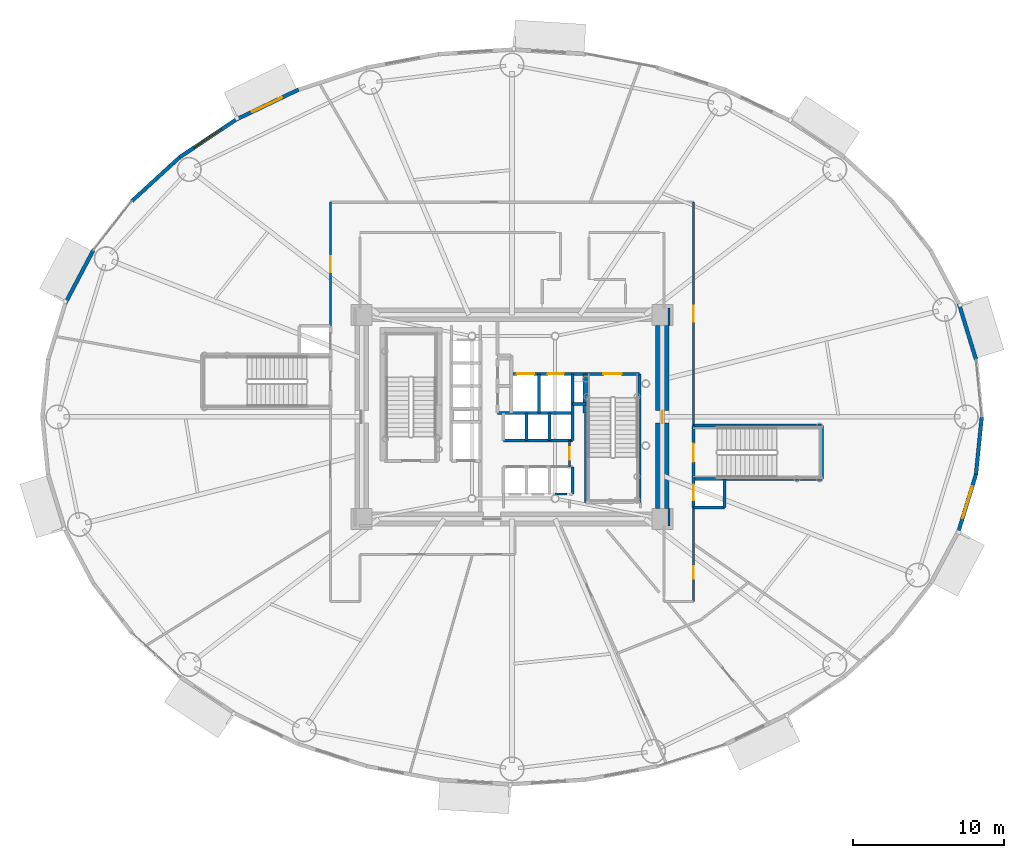
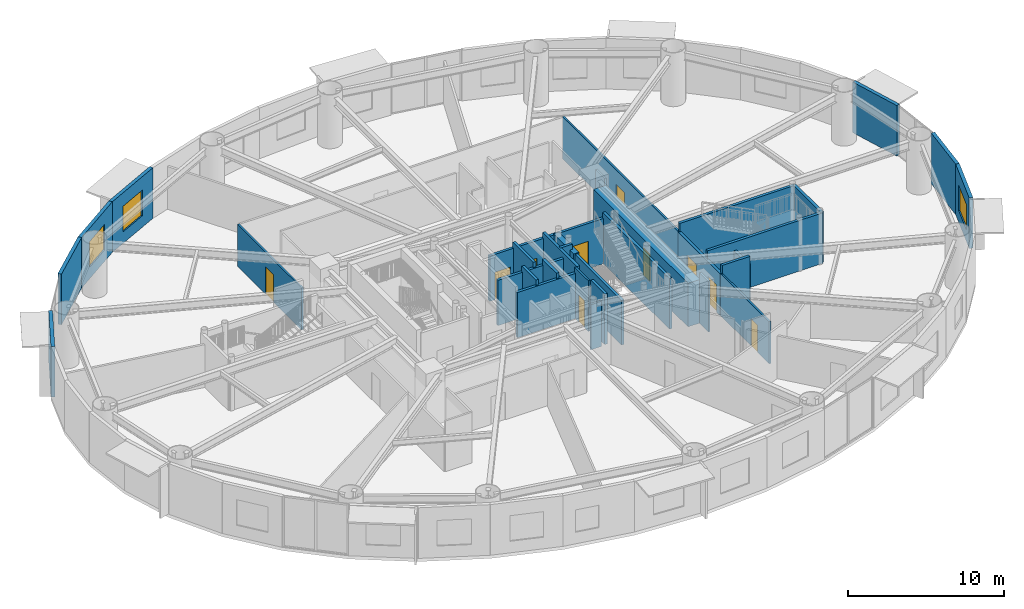
# One storey, part 15 of 28: 33 walls, 10 doors, 3 windows, 13 openings.
"""IFC4 building model written with IfcOpenShell, lengths in metres."""

from ifc_helpers import new_model, si_unit, direction, frame, frame_2d, origin, origin_2d, place, context, subcontext, project, spatial, rectangle, extrude, source, transform, mapped, material, layer, layer_set, type_object, element, fill, save


model = new_model("IFC4")

# Units and contexts
model_context = context("Model", 3, precision=1e-05, world=origin(), true_north=direction((0.0, 1.0)))
body_context = subcontext(model_context, "Body", "Model", "MODEL_VIEW")
ifc_project = project(units=[si_unit("LENGTHUNIT", "METRE"), si_unit("AREAUNIT", "SQUARE_METRE"), si_unit("VOLUMEUNIT", "CUBIC_METRE"), si_unit("PLANEANGLEUNIT", "RADIAN"), si_unit("MASSUNIT", "GRAM", prefix="KILO")], contexts=[model_context])

# Site, building, storey
site_placement = place(None, origin())
site = spatial("IfcSite", under=ifc_project, at=site_placement, CompositionType="ELEMENT")
building_placement = place(site_placement, origin())
building = spatial("IfcBuilding", under=site, at=building_placement, Name="Linh Dai School and Residence Tower", CompositionType="ELEMENT")
storey_placement = place(building_placement, frame((0.0, 0.0, 36.60009765625)))
storey = spatial("IfcBuildingStorey", under=building, at=storey_placement, Name="L08", CompositionType="ELEMENT", Elevation=36.60009765625)

# Wall
ifc_material_1 = material(Name="Precast Concrete B45 (C35/45)", Category="concrete")
ifc_layer_1 = layer(ifc_material_1, 0.25)
ifc_layer_set_1 = layer_set([ifc_layer_1], Name="Precast Concrete B45 (C35/45)")
wall_type_1 = type_object("IfcWallType", Name="EW-TC-250", PredefinedType="SOLIDWALL", material=ifc_layer_set_1)
wall_1_placement = place(storey_placement, frame((65.5576171875, 34.50146484375, 0.0), z_axis=(0.0, 0.0, 1.0), x_axis=(0.293111631758, -0.956078224482, 0.0)))
element("IfcWall", 1, at=wall_1_placement, inside=storey, type_object=wall_type_1, Name="L08 Terracotta Exterior Wall 02", PredefinedType="SOLIDWALL", context=body_context, shape_type="SweptSolid", body=[
    extrude(rectangle(XDim=3.874755859375, YDim=0.25, at=frame_2d((1.9375, 0.0))), origin(), (0.0, 0.0, 1.0), 3.949951171875),
])

# Wall, opening, window
wall_2_placement = place(storey_placement, frame((17.722900390625, 46.65576171875, 0.0), z_axis=(0.0, 0.0, 1.0), x_axis=(0.901601503137, 0.432567601123, 0.0)))
wall_2 = element("IfcWall", 2, at=wall_2_placement, inside=storey, type_object=wall_type_1, Name="L08 Terracotta Exterior Wall 14", PredefinedType="SOLIDWALL", context=body_context, shape_type="SweptSolid", body=[
    extrude(rectangle(XDim=4.61279296875, YDim=0.25, at=frame_2d((2.306396484375, 0.0))), origin(), (0.0, 0.0, 1.0), 3.949951171875),
])
opening_1_placement = place(wall_2_placement, frame((1.20654296875, 0.0, 0.89990234375)))
opening_1 = element("IfcOpeningElement", 3, at=opening_1_placement, cuts=wall_2, Name="Opening W4", PredefinedType="OPENING", context=body_context, shape_type="SweptSolid", body=[
    extrude(rectangle(XDim=2.199951171875, YDim=2.0, at=origin_2d()), frame((1.10009765625, 0.135009765625, 1.0), z_axis=(0.0, -1.0, 0.0), x_axis=(1.0, 0.0, 0.0)), (0.0, 0.0, 1.0), 0.27001953125),
])
ifc_material_2 = material(Name="Acoustic Laminated Low-E Glazing", Category="glass")
window_type = type_object("IfcWindowType", Name="WN-SCH-2200x2000", PartitioningType="TRIPLE_PANEL_VERTICAL", PredefinedType="WINDOW", material=ifc_material_2)
shared_shape_1 = source(origin(), body_context, "Body", "SweptSolid", [
    extrude(rectangle(XDim=2.199951171875, YDim=2.0, at=origin_2d()), frame((1.10009765625, 0.030029296875, 1.0), z_axis=(0.0, -1.0, 0.0), x_axis=(1.0, 0.0, 0.0)), (0.0, 0.0, 1.0), 0.06005859375),
])
window_1_placement = place(opening_1_placement, origin())
window_1 = element("IfcWindow", 4, at=window_1_placement, inside=storey, type_object=window_type, Name="L08 Exterior Window 14.1", OverallHeight=2.0, OverallWidth=2.199951171875, PartitioningType="TRIPLE_PANEL_VERTICAL", PredefinedType="WINDOW", context=body_context, shape_type="MappedRepresentation", body=[
    mapped(shared_shape_1, transform((0.0, 0.0, 0.0), x_axis=(1.0, 0.0, 0.0), y_axis=(0.0, 1.0, 0.0), z_axis=(0.0, 0.0, 1.0), scale=1.0)),
])
fill(opening_1, window_1)

wall_3_placement = place(storey_placement, frame((14.015380859375, 44.17626953125, 0.0), z_axis=(0.0, 0.0, 1.0), x_axis=(0.831240982525, 0.555912249343, 0.0)))
wall_3 = element("IfcWall", 5, at=wall_3_placement, inside=storey, type_object=wall_type_1, Name="L08 Terracotta Exterior Wall 15", PredefinedType="SOLIDWALL", context=body_context, shape_type="SweptSolid", body=[
    extrude(rectangle(XDim=4.460205078125, YDim=0.25, at=frame_2d((2.22998046875, 0.0))), origin(), (0.0, 0.0, 1.0), 3.949951171875),
])
opening_2_placement = place(wall_3_placement, frame((1.13037109375, 0.0, 0.89990234375)))
opening_2 = element("IfcOpeningElement", 6, at=opening_2_placement, cuts=wall_3, Name="Opening W4", PredefinedType="OPENING", context=body_context, shape_type="SweptSolid", body=[
    extrude(rectangle(XDim=2.199951171875, YDim=2.0, at=origin_2d()), frame((1.10009765625, 0.135009765625, 1.0), z_axis=(0.0, -1.0, 0.0), x_axis=(1.0, 0.0, 0.0)), (0.0, 0.0, 1.0), 0.27001953125),
])
window_2_placement = place(opening_2_placement, origin())
window_2 = element("IfcWindow", 7, at=window_2_placement, inside=storey, type_object=window_type, Name="L08 Exterior Window 15.1", OverallHeight=2.0, OverallWidth=2.199951171875, PartitioningType="TRIPLE_PANEL_VERTICAL", PredefinedType="WINDOW", context=body_context, shape_type="MappedRepresentation", body=[
    mapped(shared_shape_1, transform((0.0, 0.0, 0.0), x_axis=(1.0, 0.0, 0.0), y_axis=(0.0, 1.0, 0.0), z_axis=(0.0, 0.0, 1.0), scale=1.0)),
])
fill(opening_2, window_2)

# Walls
wall_4_placement = place(storey_placement, frame((10.850341796875, 41.274658203125, 0.0), z_axis=(0.0, 0.0, 1.0), x_axis=(0.737116376281, 0.67576582321, 0.0)))
element("IfcWall", 8, at=wall_4_placement, inside=storey, type_object=wall_type_1, Name="L08 Terracotta Exterior Wall 16", PredefinedType="SOLIDWALL", context=body_context, shape_type="SweptSolid", body=[
    extrude(rectangle(XDim=4.293701171875, YDim=0.25, at=frame_2d((2.14697265625, 0.0))), origin(), (0.0, 0.0, 1.0), 3.949951171875),
])
wall_5_placement = place(storey_placement, frame((6.4423828125, 34.50146484375, 0.0), z_axis=(0.0, 0.0, 1.0), x_axis=(0.467662443071, 0.883907144072, 0.0)))
element("IfcWall", 9, at=wall_5_placement, inside=storey, type_object=wall_type_1, Name="L08 Terracotta Exterior Wall 18", PredefinedType="SOLIDWALL", context=body_context, shape_type="SweptSolid", body=[
    extrude(rectangle(XDim=3.983642578125, YDim=0.25, at=frame_2d((1.99169921875, 0.0))), origin(), (0.0, 0.0, 1.0), 3.949951171875),
])

# Wall, opening, window
wall_6_placement = place(storey_placement, frame((66.693359375, 23.203125, 0.0), z_axis=(0.0, 0.0, 1.0), x_axis=(-0.293111631758, -0.956078224482, 0.0)))
wall_6 = element("IfcWall", 10, at=wall_6_placement, inside=storey, type_object=wall_type_1, Name="L08 Terracotta Exterior Wall 39", PredefinedType="SOLIDWALL", context=body_context, shape_type="SweptSolid", body=[
    extrude(rectangle(XDim=3.874755859375, YDim=0.25, at=frame_2d((1.9375, 0.0))), origin(), (0.0, 0.0, 1.0), 3.949951171875),
])
opening_3_placement = place(wall_6_placement, frame((0.83740234375, 0.0, 0.89990234375)))
opening_3 = element("IfcOpeningElement", 11, at=opening_3_placement, cuts=wall_6, Name="Opening W4", PredefinedType="OPENING", context=body_context, shape_type="SweptSolid", body=[
    extrude(rectangle(XDim=2.199951171875, YDim=2.0, at=origin_2d()), frame((1.10009765625, 0.135009765625, 1.0), z_axis=(0.0, -1.0, 0.0), x_axis=(1.0, 0.0, 0.0)), (0.0, 0.0, 1.0), 0.27001953125),
])
window_3_placement = place(opening_3_placement, origin())
window_3 = element("IfcWindow", 12, at=window_3_placement, inside=storey, type_object=window_type, Name="L08 Exterior Window 39.1", OverallHeight=2.0, OverallWidth=2.199951171875, PartitioningType="TRIPLE_PANEL_VERTICAL", PredefinedType="WINDOW", context=body_context, shape_type="MappedRepresentation", body=[
    mapped(shared_shape_1, transform((0.0, 0.0, 0.0), x_axis=(1.0, 0.0, 0.0), y_axis=(0.0, 1.0, 0.0), z_axis=(0.0, 0.0, 1.0), scale=1.0)),
])
fill(opening_3, window_3)

# Wall
wall_7_placement = place(storey_placement, frame((67.074951171875, 27.0, 0.0), z_axis=(0.0, 0.0, 1.0), x_axis=(-0.099997795174, -0.994987658698, 0.0)))
element("IfcWall", 13, at=wall_7_placement, inside=storey, type_object=wall_type_1, Name="L08 Terracotta Exterior Wall 40", PredefinedType="SOLIDWALL", context=body_context, shape_type="SweptSolid", body=[
    extrude(rectangle(XDim=3.81591796875, YDim=0.25, at=frame_2d((1.907958984375, 0.0))), origin(), (0.0, 0.0, 1.0), 3.949951171875),
])

# Wall, opening, door
ifc_material_3 = material(Name="Autoclaved Aerated Concrete Blockwork", Category="masonry")
ifc_layer_2 = layer(ifc_material_3, 0.135009765625)
ifc_layer_set_2 = layer_set([ifc_layer_2], Name="Autoclaved Aerated Concrete Blockwork")
wall_type_2 = type_object("IfcWallType", Name="IW-CORR-135-EI90", PredefinedType="PARTITIONING", material=ifc_layer_set_2)
wall_8_placement = place(storey_placement, frame((24.0, 33.010009765625, 0.0), z_axis=(0.0, 0.0, 1.0), x_axis=(0.0, 1.0, 0.0)))
wall_8 = element("IfcWall", 14, at=wall_8_placement, inside=storey, type_object=wall_type_2, Name="L08 Interior Partition Wall 012", PredefinedType="PARTITIONING", context=body_context, shape_type="SweptSolid", body=[
    extrude(rectangle(XDim=8.18994140625, YDim=0.135009765625, at=frame_2d((4.094970703125, 0.0))), origin(), (0.0, 0.0, 1.0), 3.284912109375),
])
opening_4_placement = place(wall_8_placement, frame((3.570068359375, 0.0, 0.0)))
opening_4 = element("IfcOpeningElement", 15, at=opening_4_placement, cuts=wall_8, Name="Opening D04", PredefinedType="OPENING", context=body_context, shape_type="SweptSolid", body=[
    extrude(rectangle(XDim=1.050048828125, YDim=2.14990234375, at=origin_2d()), frame((0.52490234375, 0.07763671875, 1.074951171875), z_axis=(0.0, -1.0, 0.0), x_axis=(1.0, 0.0, 0.0)), (0.0, 0.0, 1.0), 0.155029296875),
])
ifc_material_4 = material(Name="Acoustic Vision-Panel Timber Classroom Door", Category="wood")
door_type_1 = type_object("IfcDoorType", Name="DR-SCH-1050x2150-FD60S", OperationType="NOTDEFINED", PredefinedType="DOOR", material=ifc_material_4)
shared_shape_2 = source(origin(), body_context, "Body", "SweptSolid", [
    extrude(rectangle(XDim=1.050048828125, YDim=2.14990234375, at=origin_2d()), frame((0.52490234375, 0.02490234375, 1.074951171875), z_axis=(0.0, -1.0, 0.0), x_axis=(1.0, 0.0, 0.0)), (0.0, 0.0, 1.0), 0.050048828125),
])
door_1_placement = place(opening_4_placement, origin())
door_1 = element("IfcDoor", 16, at=door_1_placement, inside=storey, type_object=door_type_1, Name="L08 Physics Optics and Mechanics Lab Door", OperationType="SINGLE_SWING_RIGHT", OverallHeight=2.14990234375, OverallWidth=1.050048828125, PredefinedType="DOOR", context=body_context, shape_type="MappedRepresentation", body=[
    mapped(shared_shape_2, transform((0.0, 0.0, 0.0), x_axis=(1.0, 0.0, 0.0), y_axis=(0.0, 1.0, 0.0), z_axis=(0.0, 0.0, 1.0), scale=1.0)),
])
fill(opening_4, door_1)

wall_9_placement = place(storey_placement, frame((39.800048828125, 23.699951171875, 0.0), z_axis=(0.0, 0.0, 1.0), x_axis=(0.0, 1.0, 0.0)))
wall_9 = element("IfcWall", 17, at=wall_9_placement, inside=storey, type_object=wall_type_2, Name="L08 Interior Partition Wall 046", PredefinedType="PARTITIONING", context=body_context, shape_type="SweptSolid", body=[
    extrude(rectangle(XDim=1.75, YDim=0.135009765625, at=frame_2d((0.875, 0.0))), origin(), (0.0, 0.0, 1.0), 3.949951171875),
])
opening_5_placement = place(wall_9_placement, frame((0.465087890625, 0.0, 0.0)))
opening_5 = element("IfcOpeningElement", 18, at=opening_5_placement, cuts=wall_9, Name="Opening D06", PredefinedType="OPENING", context=body_context, shape_type="SweptSolid", body=[
    extrude(rectangle(XDim=0.820068359375, YDim=2.10009765625, at=origin_2d()), frame((0.41015625, 0.07763671875, 1.050048828125), z_axis=(0.0, -1.0, 0.0), x_axis=(1.0, 0.0, 0.0)), (0.0, 0.0, 1.0), 0.155029296875),
])
ifc_material_5 = material(Name="Moisture-Resistant Timber Bathroom Door", Category="wood")
door_type_2 = type_object("IfcDoorType", Name="DR-WET-820x2100", OperationType="NOTDEFINED", PredefinedType="DOOR", material=ifc_material_5)
shared_shape_3 = source(origin(), body_context, "Body", "SweptSolid", [
    extrude(rectangle(XDim=0.820068359375, YDim=2.10009765625, at=origin_2d()), frame((0.41015625, 0.02490234375, 1.050048828125), z_axis=(0.0, -1.0, 0.0), x_axis=(1.0, 0.0, 0.0)), (0.0, 0.0, 1.0), 0.050048828125),
])
door_2_placement = place(opening_5_placement, origin())
door_2 = element("IfcDoor", 19, at=door_2_placement, inside=storey, type_object=door_type_2, Name="L08 Core Housekeeping Store Door", OperationType="SINGLE_SWING_LEFT", OverallHeight=2.10009765625, OverallWidth=0.820068359375, PredefinedType="DOOR", context=body_context, shape_type="MappedRepresentation", body=[
    mapped(shared_shape_3, transform((0.0, 0.0, 0.0), x_axis=(1.0, 0.0, 0.0), y_axis=(0.0, 1.0, 0.0), z_axis=(0.0, 0.0, 1.0), scale=1.0)),
])
fill(opening_5, door_2)

wall_10_placement = place(storey_placement, frame((48.0, 14.800048828125, 0.0), z_axis=(0.0, 0.0, 1.0), x_axis=(0.0, 1.0, 0.0)))
wall_10 = element("IfcWall", 20, at=wall_10_placement, inside=storey, type_object=wall_type_2, Name="L08 Interior Partition Wall 058", PredefinedType="PARTITIONING", context=body_context, shape_type="SweptSolid", body=[
    extrude(rectangle(XDim=6.199951171875, YDim=0.135009765625, at=frame_2d((3.10009765625, 0.0))), origin(), (0.0, 0.0, 1.0), 3.284912109375),
])
opening_6_placement = place(wall_10_placement, frame((1.5087890625, 0.0, 0.0)))
opening_6 = element("IfcOpeningElement", 21, at=opening_6_placement, cuts=wall_10, Name="Opening D06", PredefinedType="OPENING", context=body_context, shape_type="SweptSolid", body=[
    extrude(rectangle(XDim=0.820068359375, YDim=2.10009765625, at=origin_2d()), frame((0.41015625, 0.07763671875, 1.050048828125), z_axis=(0.0, -1.0, 0.0), x_axis=(1.0, 0.0, 0.0)), (0.0, 0.0, 1.0), 0.155029296875),
])
door_3_placement = place(opening_6_placement, origin())
door_3 = element("IfcDoor", 22, at=door_3_placement, inside=storey, type_object=door_type_2, Name="L08 Tower School Girls WC Door", OperationType="SINGLE_SWING_RIGHT", OverallHeight=2.10009765625, OverallWidth=0.820068359375, PredefinedType="DOOR", context=body_context, shape_type="MappedRepresentation", body=[
    mapped(shared_shape_3, transform((0.0, 0.0, 0.0), x_axis=(1.0, 0.0, 0.0), y_axis=(0.0, 1.0, 0.0), z_axis=(0.0, 0.0, 1.0), scale=1.0)),
])
fill(opening_6, door_3)

wall_11_placement = place(storey_placement, frame((48.0, 26.429931640625, 0.0), z_axis=(0.0, 0.0, 1.0), x_axis=(0.0, 1.0, 0.0)))
wall_11 = element("IfcWall", 23, at=wall_11_placement, inside=storey, type_object=wall_type_2, Name="L08 Interior Partition Wall 063", PredefinedType="PARTITIONING", context=body_context, shape_type="SweptSolid", body=[
    extrude(rectangle(XDim=14.77001953125, YDim=0.135009765625, at=frame_2d((7.385009765625, 0.0))), origin(), (0.0, 0.0, 1.0), 3.284912109375),
])
opening_7_placement = place(wall_11_placement, frame((6.860107421875, 0.0, 0.0)))
opening_7 = element("IfcOpeningElement", 24, at=opening_7_placement, cuts=wall_11, Name="Opening D04", PredefinedType="OPENING", context=body_context, shape_type="SweptSolid", body=[
    extrude(rectangle(XDim=1.050048828125, YDim=2.14990234375, at=origin_2d()), frame((0.52490234375, 0.07763671875, 1.074951171875), z_axis=(0.0, -1.0, 0.0), x_axis=(1.0, 0.0, 0.0)), (0.0, 0.0, 1.0), 0.155029296875),
])
door_4_placement = place(opening_7_placement, origin())
door_4 = element("IfcDoor", 25, at=door_4_placement, inside=storey, type_object=door_type_1, Name="L08 Senior School Tiered Lecture Theatre Door", OperationType="SINGLE_SWING_RIGHT", OverallHeight=2.14990234375, OverallWidth=1.050048828125, PredefinedType="DOOR", context=body_context, shape_type="MappedRepresentation", body=[
    mapped(shared_shape_2, transform((0.0, 0.0, 0.0), x_axis=(1.0, 0.0, 0.0), y_axis=(0.0, 1.0, 0.0), z_axis=(0.0, 0.0, 1.0), scale=1.0)),
])
fill(opening_7, door_4)

# Walls
wall_12_placement = place(storey_placement, frame((39.639892578125, 21.89990234375, 0.0), z_axis=(0.0, 0.0, 1.0), x_axis=(-1.0, 0.0, 0.0)))
element("IfcWall", 26, at=wall_12_placement, inside=storey, type_object=wall_type_2, Name="L08 Interior Partition Wall 071", PredefinedType="PARTITIONING", context=body_context, shape_type="SweptSolid", body=[
    extrude(rectangle(XDim=0.7998046875, YDim=0.135009765625, at=frame_2d((0.39990234375, 0.0))), origin(), (0.0, 0.0, 1.0), 3.534912109375),
])
for number, where, z_axis, x_axis, name in (
    (27, (46.39990234375, 19.800048828125, 0.0), (0.0, 0.0, 1.0), (0.0, 1.0, 0.0), "L08 Interior Partition Wall 079"),
    (28, (46.39990234375, 33.06005859375, 0.0), (0.0, 0.0, 1.0), (0.0, 1.0, 0.0), "L08 Interior Partition Wall 080"),
):
    element("IfcWall", number, at=place(storey_placement, frame(where, z_axis=z_axis, x_axis=x_axis)), inside=storey, type_object=wall_type_2, Name=name, PredefinedType="PARTITIONING", context=body_context, shape_type="SweptSolid", body=[
        extrude(rectangle(XDim=1.139892578125, YDim=0.135009765625, at=frame_2d((0.56982421875, 0.0))), origin(), (0.0, 0.0, 1.0), 3.949951171875),
    ])
ifc_material_6 = material(Name="Concrete B45 (C35/45)", Category="concrete")
ifc_layer_3 = layer(ifc_material_6, 0.199951171875)
ifc_layer_set_3 = layer_set([ifc_layer_3], Name="Concrete B45 (C35/45)")
wall_type_3 = type_object("IfcWallType", Name="IW-SHAFT-200-EI120", PredefinedType="PARTITIONING", material=ifc_layer_set_3)
wall_13_placement = place(storey_placement, frame((35.050048828125, 27.25, 0.0), z_axis=(0.0, 0.0, 1.0), x_axis=(1.0, 0.0, 0.0)))
element("IfcWall", 29, at=wall_13_placement, inside=storey, type_object=wall_type_3, Name="L08 Interior Partition Wall 027", PredefinedType="PARTITIONING", context=body_context, shape_type="SweptSolid", body=[
    extrude(rectangle(XDim=4.949951171875, YDim=0.199951171875, at=frame_2d((2.47509765625, 0.0))), origin(), (0.0, 0.0, 1.0), 3.534912109375),
])
wall_14_placement = place(storey_placement, frame((35.449951171875, 25.449951171875, 0.0), z_axis=(0.0, 0.0, 1.0), x_axis=(1.0, 0.0, 0.0)))
element("IfcWall", 30, at=wall_14_placement, inside=storey, type_object=wall_type_3, Name="L08 Interior Partition Wall 035", PredefinedType="PARTITIONING", context=body_context, shape_type="SweptSolid", body=[
    extrude(rectangle(XDim=4.550048828125, YDim=0.199951171875, at=frame_2d((2.27490234375, 0.0))), origin(), (0.0, 0.0, 1.0), 3.534912109375),
])

# Wall, openings, doors
wall_15_placement = place(storey_placement, frame((35.949951171875, 29.85009765625, 0.0), z_axis=(0.0, 0.0, 1.0), x_axis=(1.0, 0.0, 0.0)))
wall_15 = element("IfcWall", 31, at=wall_15_placement, inside=storey, type_object=wall_type_3, Name="L08 Interior Partition Wall 037", PredefinedType="PARTITIONING", context=body_context, shape_type="SweptSolid", body=[
    extrude(rectangle(XDim=8.489990234375, YDim=0.199951171875, at=frame_2d((4.2451171875, 0.0))), origin(), (0.0, 0.0, 1.0), 3.534912109375),
])
opening_8_placement = place(wall_15_placement, frame((6.10009765625, 0.0, 0.0)))
opening_8 = element("IfcOpeningElement", 32, at=opening_8_placement, cuts=wall_15, Name="Opening D01", PredefinedType="OPENING", context=body_context, shape_type="SweptSolid", body=[
    extrude(rectangle(XDim=1.199951171875, YDim=2.14990234375, at=origin_2d()), frame((0.60009765625, 0.10986328125, 1.074951171875), z_axis=(0.0, -1.0, 0.0), x_axis=(1.0, 0.0, 0.0)), (0.0, 0.0, 1.0), 0.219970703125),
])
opening_9_placement = place(wall_15_placement, frame((0.3701171875, 0.0, 0.0)))
opening_9 = element("IfcOpeningElement", 33, at=opening_9_placement, cuts=wall_15, Name="Opening LD-FF1", PredefinedType="OPENING", context=body_context, shape_type="SweptSolid", body=[
    extrude(rectangle(XDim=1.14990234375, YDim=2.14990234375, at=origin_2d()), frame((0.574951171875, 0.10986328125, 1.074951171875), z_axis=(0.0, -1.0, 0.0), x_axis=(1.0, 0.0, 0.0)), (0.0, 0.0, 1.0), 0.219970703125),
])
opening_10_placement = place(wall_15_placement, frame((2.425048828125, 0.0, 0.0)))
opening_10 = element("IfcOpeningElement", 34, at=opening_10_placement, cuts=wall_15, Name="Opening LD-SV1", PredefinedType="OPENING", context=body_context, shape_type="SweptSolid", body=[
    extrude(rectangle(XDim=1.050048828125, YDim=2.14990234375, at=origin_2d()), frame((0.52490234375, 0.10986328125, 1.074951171875), z_axis=(0.0, -1.0, 0.0), x_axis=(1.0, 0.0, 0.0)), (0.0, 0.0, 1.0), 0.219970703125),
])
ifc_material_7 = material(Name="Fire-Rated Steel Door Leaf", Category="steel")
door_type_3 = type_object("IfcDoorType", Name="DR-STAIR-1200x2150-FD90S", OperationType="NOTDEFINED", PredefinedType="DOOR", material=ifc_material_7)
shared_shape_4 = source(origin(), body_context, "Body", "SweptSolid", [
    extrude(rectangle(XDim=1.199951171875, YDim=2.14990234375, at=origin_2d()), frame((0.60009765625, 0.02490234375, 1.074951171875), z_axis=(0.0, -1.0, 0.0), x_axis=(1.0, 0.0, 0.0)), (0.0, 0.0, 1.0), 0.050048828125),
])
door_5_placement = place(opening_8_placement, origin())
door_5 = element("IfcDoor", 35, at=door_5_placement, inside=storey, type_object=door_type_3, Name="L08 Core Smokeproof Exit Stair ST2 Door", OperationType="SINGLE_SWING_RIGHT", OverallHeight=2.14990234375, OverallWidth=1.199951171875, PredefinedType="DOOR", context=body_context, shape_type="MappedRepresentation", body=[
    mapped(shared_shape_4, transform((0.0, 0.0, 0.0), x_axis=(1.0, 0.0, 0.0), y_axis=(0.0, 1.0, 0.0), z_axis=(0.0, 0.0, 1.0), scale=1.0)),
])
fill(opening_8, door_5)
ifc_material_8 = material(Name="Fire-Rated Stainless Steel Firefighting Lift Door", Category="steel")
door_type_4 = type_object("IfcDoorType", Name="DR-LD-FF-1150x2150-FD120", OperationType="DOUBLE_DOOR_SLIDING", PredefinedType="USERDEFINED", material=ifc_material_8)
shared_shape_5 = source(origin(), body_context, "Body", "SweptSolid", [
    extrude(rectangle(XDim=1.14990234375, YDim=2.14990234375, at=origin_2d()), frame((0.574951171875, 0.02490234375, 1.074951171875), z_axis=(0.0, -1.0, 0.0), x_axis=(1.0, 0.0, 0.0)), (0.0, 0.0, 1.0), 0.050048828125),
])
door_6_placement = place(opening_9_placement, origin())
door_6 = element("IfcDoor", 36, at=door_6_placement, inside=storey, type_object=door_type_4, Name="L08 Lift FF1 Sliding Landing Door", ObjectType="LANDING DOOR", OperationType="DOUBLE_DOOR_SLIDING", OverallHeight=2.14990234375, OverallWidth=1.14990234375, PredefinedType="USERDEFINED", context=body_context, shape_type="MappedRepresentation", body=[
    mapped(shared_shape_5, transform((0.0, 0.0, 0.0), x_axis=(1.0, 0.0, 0.0), y_axis=(0.0, 1.0, 0.0), z_axis=(0.0, 0.0, 1.0), scale=1.0)),
])
fill(opening_9, door_6)
ifc_material_9 = material(Name="Brushed Stainless Steel Lift Landing Door", Category="steel")
door_type_5 = type_object("IfcDoorType", Name="DR-LD-PASS-1050x2150", OperationType="DOUBLE_DOOR_SLIDING", PredefinedType="USERDEFINED", material=ifc_material_9)
shared_shape_6 = source(origin(), body_context, "Body", "SweptSolid", [
    extrude(rectangle(XDim=1.050048828125, YDim=2.14990234375, at=origin_2d()), frame((0.52490234375, 0.02490234375, 1.074951171875), z_axis=(0.0, -1.0, 0.0), x_axis=(1.0, 0.0, 0.0)), (0.0, 0.0, 1.0), 0.050048828125),
])
door_7_placement = place(opening_10_placement, origin())
door_7 = element("IfcDoor", 37, at=door_7_placement, inside=storey, type_object=door_type_5, Name="L08 Lift SV1 Sliding Landing Door", ObjectType="LANDING DOOR", OperationType="DOUBLE_DOOR_SLIDING", OverallHeight=2.14990234375, OverallWidth=1.050048828125, PredefinedType="USERDEFINED", context=body_context, shape_type="MappedRepresentation", body=[
    mapped(shared_shape_6, transform((0.0, 0.0, 0.0), x_axis=(1.0, 0.0, 0.0), y_axis=(0.0, 1.0, 0.0), z_axis=(0.0, 0.0, 1.0), scale=1.0)),
])
fill(opening_10, door_7)

# Walls
wall_16_placement = place(storey_placement, frame((36.9599609375, 25.449951171875, 0.0), z_axis=(0.0, 0.0, 1.0), x_axis=(0.0, 1.0, 0.0)))
element("IfcWall", 38, at=wall_16_placement, inside=storey, type_object=wall_type_3, Name="L08 Interior Partition Wall 040", PredefinedType="PARTITIONING", context=body_context, shape_type="SweptSolid", body=[
    extrude(rectangle(XDim=1.800048828125, YDim=0.199951171875, at=frame_2d((0.89990234375, 0.0))), origin(), (0.0, 0.0, 1.0), 3.949951171875),
])
wall_17_placement = place(storey_placement, frame((37.800048828125, 27.25, 0.0), z_axis=(0.0, 0.0, 1.0), x_axis=(0.0, 1.0, 0.0)))
element("IfcWall", 39, at=wall_17_placement, inside=storey, type_object=wall_type_3, Name="L08 Interior Partition Wall 041", PredefinedType="PARTITIONING", context=body_context, shape_type="SweptSolid", body=[
    extrude(rectangle(XDim=2.60009765625, YDim=0.199951171875, at=frame_2d((1.300048828125, 0.0))), origin(), (0.0, 0.0, 1.0), 3.949951171875),
])
for number, where, z_axis, x_axis, name in (
    (40, (38.47998046875, 25.449951171875, 0.0), (0.0, 0.0, 1.0), (0.0, 1.0, 0.0), "L08 Interior Partition Wall 043"),
    (41, (40.0, 21.89990234375, 0.0), (0.0, 0.0, 1.0), (0.0, 1.0, 0.0), "L08 Interior Partition Wall 047"),
):
    element("IfcWall", number, at=place(storey_placement, frame(where, z_axis=z_axis, x_axis=x_axis)), inside=storey, type_object=wall_type_3, Name=name, PredefinedType="PARTITIONING", context=body_context, shape_type="SweptSolid", body=[
        extrude(rectangle(XDim=1.800048828125, YDim=0.199951171875, at=frame_2d((0.89990234375, 0.0))), origin(), (0.0, 0.0, 1.0), 3.949951171875),
    ])
wall_18_placement = place(storey_placement, frame((40.0, 25.449951171875, 0.0), z_axis=(0.0, 0.0, 1.0), x_axis=(0.0, 1.0, 0.0)))
element("IfcWall", 42, at=wall_18_placement, inside=storey, type_object=wall_type_3, Name="L08 Interior Partition Wall 048", PredefinedType="PARTITIONING", context=body_context, shape_type="SweptSolid", body=[
    extrude(rectangle(XDim=4.400146484375, YDim=0.199951171875, at=frame_2d((2.2001953125, 0.0))), origin(), (0.0, 0.0, 1.0), 3.949951171875),
])
wall_19_placement = place(storey_placement, frame((40.0, 27.85009765625, 0.0), z_axis=(0.0, 0.0, 1.0), x_axis=(1.0, 0.0, 0.0)))
element("IfcWall", 43, at=wall_19_placement, inside=storey, type_object=wall_type_3, Name="L08 Interior Partition Wall 049", PredefinedType="PARTITIONING", context=body_context, shape_type="SweptSolid", body=[
    extrude(rectangle(XDim=0.89990234375, YDim=0.199951171875, at=frame_2d((0.449951171875, 0.0))), origin(), (0.0, 0.0, 1.0), 3.949951171875),
])
wall_20_placement = place(storey_placement, frame((40.89990234375, 21.330078125, 0.0), z_axis=(0.0, 0.0, 1.0), x_axis=(0.0, 1.0, 0.0)))
element("IfcWall", 44, at=wall_20_placement, inside=storey, type_object=wall_type_3, Name="L08 Interior Partition Wall 050", PredefinedType="PARTITIONING", context=body_context, shape_type="SweptSolid", body=[
    extrude(rectangle(XDim=5.909912109375, YDim=0.199951171875, at=frame_2d((2.955078125, 0.0))), origin(), (0.0, 0.0, 1.0), 3.48486328125),
])
wall_21_placement = place(storey_placement, frame((44.43994140625, 21.330078125, 0.0), z_axis=(0.0, 0.0, 1.0), x_axis=(0.0, 1.0, 0.0)))
element("IfcWall", 45, at=wall_21_placement, inside=storey, type_object=wall_type_3, Name="L08 Interior Partition Wall 054", PredefinedType="PARTITIONING", context=body_context, shape_type="SweptSolid", body=[
    extrude(rectangle(XDim=8.52001953125, YDim=0.199951171875, at=frame_2d((4.260009765625, 0.0))), origin(), (0.0, 0.0, 1.0), 3.949951171875),
])

# Wall, openings, doors
wall_22_placement = place(storey_placement, frame((48.0, 21.010009765625, 0.0), z_axis=(0.0, 0.0, 1.0), x_axis=(0.0, 1.0, 0.0)))
wall_22 = element("IfcWall", 46, at=wall_22_placement, inside=storey, type_object=wall_type_3, Name="L08 Interior Partition Wall 060", PredefinedType="PARTITIONING", context=body_context, shape_type="SweptSolid", body=[
    extrude(rectangle(XDim=5.409912109375, YDim=0.199951171875, at=frame_2d((2.705078125, 0.0))), origin(), (0.0, 0.0, 1.0), 3.284912109375),
])
opening_11_placement = place(wall_22_placement, frame((3.02001953125, 0.0, 0.0)))
opening_11 = element("IfcOpeningElement", 47, at=opening_11_placement, cuts=wall_22, Name="Opening D01", PredefinedType="OPENING", context=body_context, shape_type="SweptSolid", body=[
    extrude(rectangle(XDim=1.199951171875, YDim=2.14990234375, at=origin_2d()), frame((0.60009765625, 0.10986328125, 1.074951171875), z_axis=(0.0, -1.0, 0.0), x_axis=(1.0, 0.0, 0.0)), (0.0, 0.0, 1.0), 0.219970703125),
])
opening_12_placement = place(wall_22_placement, frame((0.465087890625, 0.0, 0.0)))
opening_12 = element("IfcOpeningElement", 48, at=opening_12_placement, cuts=wall_22, Name="Opening LD-SL2", PredefinedType="OPENING", context=body_context, shape_type="SweptSolid", body=[
    extrude(rectangle(XDim=1.050048828125, YDim=2.14990234375, at=origin_2d()), frame((0.52490234375, 0.10986328125, 1.074951171875), z_axis=(0.0, -1.0, 0.0), x_axis=(1.0, 0.0, 0.0)), (0.0, 0.0, 1.0), 0.219970703125),
])
door_8_placement = place(opening_11_placement, origin())
door_8 = element("IfcDoor", 49, at=door_8_placement, inside=storey, type_object=door_type_3, Name="L08 Exit Stair STS2 Door", OperationType="SINGLE_SWING_RIGHT", OverallHeight=2.14990234375, OverallWidth=1.199951171875, PredefinedType="DOOR", context=body_context, shape_type="MappedRepresentation", body=[
    mapped(shared_shape_4, transform((0.0, 0.0, 0.0), x_axis=(1.0, 0.0, 0.0), y_axis=(0.0, 1.0, 0.0), z_axis=(0.0, 0.0, 1.0), scale=1.0)),
])
fill(opening_11, door_8)
door_9_placement = place(opening_12_placement, origin())
door_9 = element("IfcDoor", 50, at=door_9_placement, inside=storey, type_object=door_type_5, Name="L08 Lift SL2 Sliding Landing Door", ObjectType="LANDING DOOR", OperationType="DOUBLE_DOOR_SLIDING", OverallHeight=2.14990234375, OverallWidth=1.050048828125, PredefinedType="USERDEFINED", context=body_context, shape_type="MappedRepresentation", body=[
    mapped(shared_shape_6, transform((0.0, 0.0, 0.0), x_axis=(1.0, 0.0, 0.0), y_axis=(0.0, 1.0, 0.0), z_axis=(0.0, 0.0, 1.0), scale=1.0)),
])
fill(opening_12, door_9)

# Walls
wall_23_placement = place(storey_placement, frame((48.0, 21.0, 0.0), z_axis=(0.0, 0.0, 1.0), x_axis=(1.0, 0.0, 0.0)))
element("IfcWall", 51, at=wall_23_placement, inside=storey, type_object=wall_type_3, Name="L08 Interior Partition Wall 061", PredefinedType="PARTITIONING", context=body_context, shape_type="SweptSolid", body=[
    extrude(rectangle(XDim=2.050048828125, YDim=0.199951171875, at=frame_2d((1.02490234375, 0.0))), origin(), (0.0, 0.0, 1.0), 3.949951171875),
])
for number, where, z_axis, x_axis, name in (
    (52, (48.0, 22.8798828125, 0.0), (0.0, 0.0, 1.0), (1.0, 0.0, 0.0), "L08 Interior Partition Wall 062"),
    (53, (48.0, 26.419921875, 0.0), (0.0, 0.0, 1.0), (1.0, 0.0, 0.0), "L08 Interior Partition Wall 064"),
):
    element("IfcWall", number, at=place(storey_placement, frame(where, z_axis=z_axis, x_axis=x_axis)), inside=storey, type_object=wall_type_3, Name=name, PredefinedType="PARTITIONING", context=body_context, shape_type="SweptSolid", body=[
        extrude(rectangle(XDim=8.52001953125, YDim=0.199951171875, at=frame_2d((4.260009765625, 0.0))), origin(), (0.0, 0.0, 1.0), 3.949951171875),
    ])
wall_24_placement = place(storey_placement, frame((50.050048828125, 21.0, 0.0), z_axis=(0.0, 0.0, 1.0), x_axis=(0.0, 1.0, 0.0)))
element("IfcWall", 54, at=wall_24_placement, inside=storey, type_object=wall_type_3, Name="L08 Interior Partition Wall 066", PredefinedType="PARTITIONING", context=body_context, shape_type="SweptSolid", body=[
    extrude(rectangle(XDim=1.8798828125, YDim=0.199951171875, at=frame_2d((0.93994140625, 0.0))), origin(), (0.0, 0.0, 1.0), 3.284912109375),
])
wall_25_placement = place(storey_placement, frame((56.52001953125, 22.8798828125, 0.0), z_axis=(0.0, 0.0, 1.0), x_axis=(0.0, 1.0, 0.0)))
element("IfcWall", 55, at=wall_25_placement, inside=storey, type_object=wall_type_3, Name="L08 Interior Partition Wall 067", PredefinedType="PARTITIONING", context=body_context, shape_type="SweptSolid", body=[
    extrude(rectangle(XDim=3.5400390625, YDim=0.199951171875, at=frame_2d((1.77001953125, 0.0))), origin(), (0.0, 0.0, 1.0), 3.949951171875),
])
ifc_layer_4 = layer(ifc_material_6, 0.39990234375)
ifc_layer_set_4 = layer_set([ifc_layer_4], Name="Concrete B45 (C35/45)")
wall_type_4 = type_object("IfcWallType", Name="WL-CORE400", PredefinedType="SHEAR", material=ifc_layer_set_4)
wall_26_placement = place(storey_placement, frame((40.89990234375, 27.25, 0.0), z_axis=(0.0, 0.0, 1.0), x_axis=(0.0, 1.0, 0.0)))
element("IfcWall", 56, at=wall_26_placement, inside=storey, type_object=wall_type_4, Name="L08 Internal Core Shear Wall IE", PredefinedType="SHEAR", context=body_context, shape_type="SweptSolid", body=[
    extrude(rectangle(XDim=2.60009765625, YDim=0.39990234375, at=frame_2d((1.300048828125, 0.0))), origin(), (0.0, 0.0, 1.0), 3.5498046875),
])

# Wall, opening, door
ifc_material_10 = material(Name="Concrete B60 (C50/60)", Category="concrete")
ifc_layer_5 = layer(ifc_material_10, 0.89990234375)
ifc_layer_set_5 = layer_set([ifc_layer_5], Name="Concrete B60 (C50/60)")
wall_type_5 = type_object("IfcWallType", Name="WL-CORE900", PredefinedType="SHEAR", material=ifc_layer_set_5)
wall_27_placement = place(storey_placement, frame((45.949951171875, 33.050048828125, 0.0), z_axis=(0.0, 0.0, 1.0), x_axis=(0.0, -1.0, 0.0)))
wall_27 = element("IfcWall", 57, at=wall_27_placement, inside=storey, type_object=wall_type_5, Name="L08 Central Core Shear Wall E", PredefinedType="SHEAR", context=body_context, shape_type="SweptSolid", body=[
    extrude(rectangle(XDim=12.10009765625, YDim=0.89990234375, at=frame_2d((6.050048828125, 0.0))), origin(), (0.0, 0.0, 1.0), 3.39990234375),
])
opening_13_placement = place(wall_27_placement, frame((5.639892578125, 0.0, 0.0)))
opening_13 = element("IfcOpeningElement", 58, at=opening_13_placement, cuts=wall_27, Name="Opening D06", PredefinedType="OPENING", context=body_context, shape_type="SweptSolid", body=[
    extrude(rectangle(XDim=0.820068359375, YDim=2.10009765625, at=origin_2d()), frame((0.41015625, 0.4599609375, 1.050048828125), z_axis=(0.0, -1.0, 0.0), x_axis=(1.0, 0.0, 0.0)), (0.0, 0.0, 1.0), 0.919921875),
])
door_10_placement = place(opening_13_placement, origin())
door_10 = element("IfcDoor", 59, at=door_10_placement, inside=storey, type_object=door_type_2, Name="L08 Firefighting Lobby Door", OperationType="SINGLE_SWING_LEFT", OverallHeight=2.10009765625, OverallWidth=0.820068359375, PredefinedType="DOOR", context=body_context, shape_type="MappedRepresentation", body=[
    mapped(shared_shape_3, transform((0.0, 0.0, 0.0), x_axis=(1.0, 0.0, 0.0), y_axis=(0.0, 1.0, 0.0), z_axis=(0.0, 0.0, 1.0), scale=1.0)),
])
fill(opening_13, door_10)

save(model, "model.ifc")
